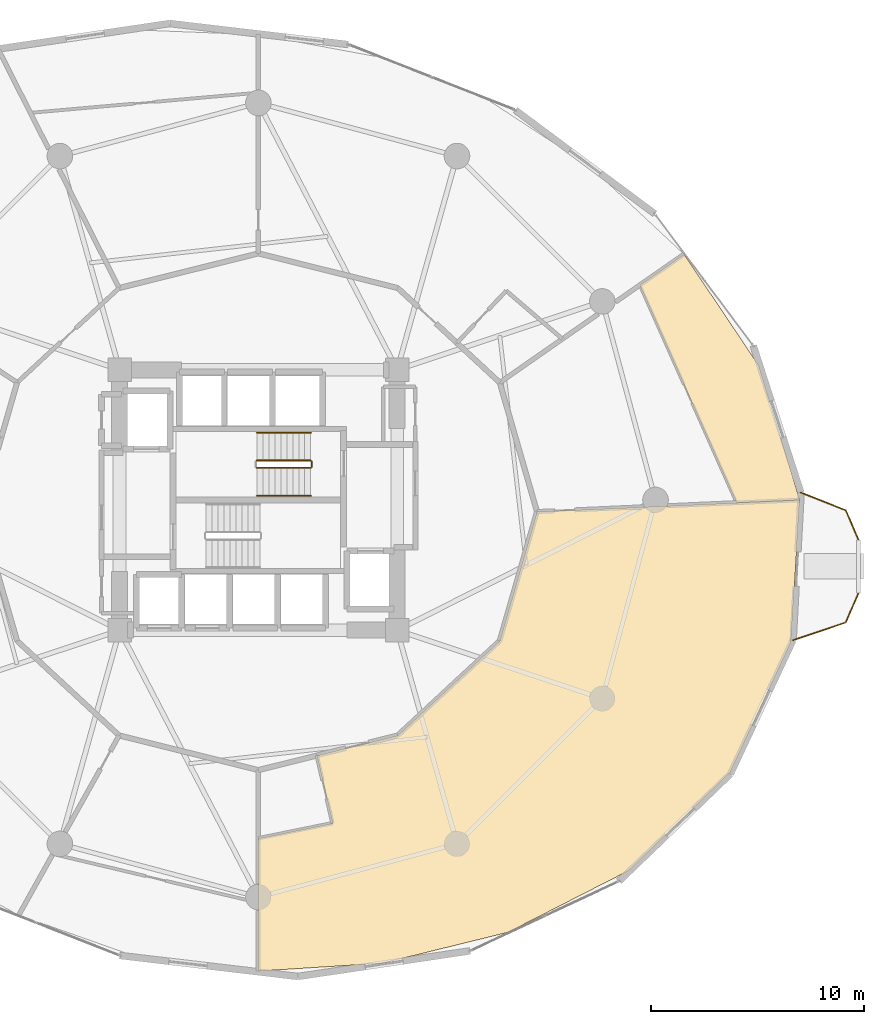
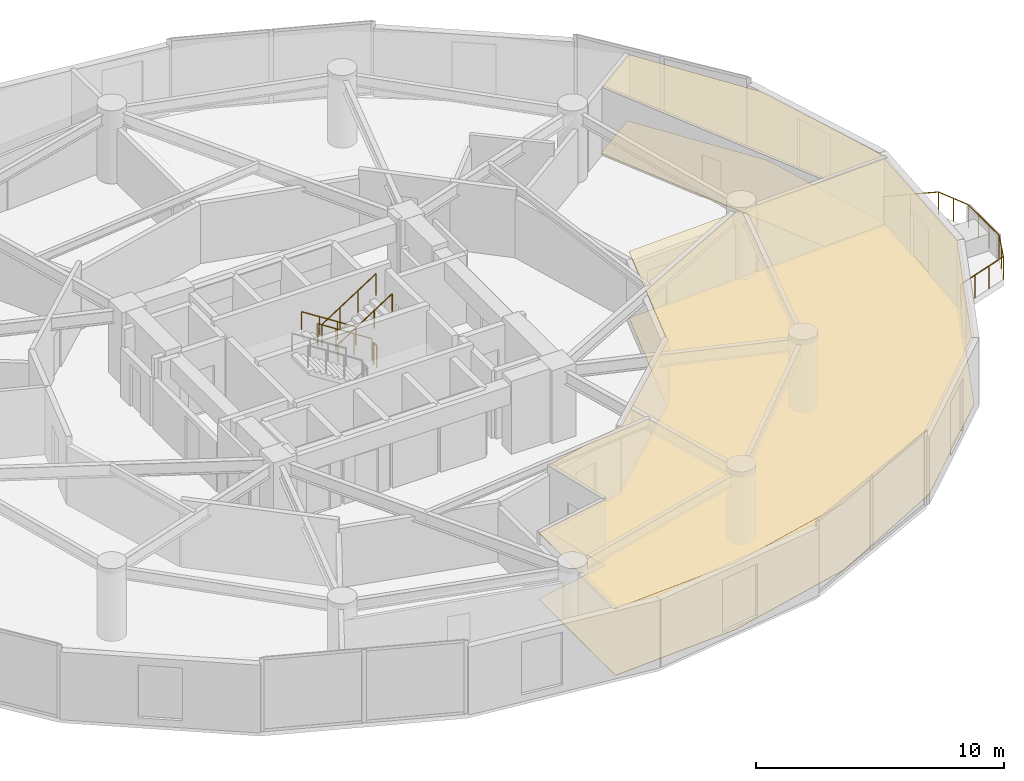
# One storey, part 24 of 25: 6 railings, 4 coverings.
"""IFC4 building model written with IfcOpenShell, lengths in metres."""

from ifc_helpers import new_model, si_unit, direction, frame, origin, origin_2d, place, context, subcontext, project, spatial, polyline, circle, outline, extrude, material, layer, layer_set, type_object, element, save


model = new_model("IFC4")

# Units and contexts
model_context = context("Model", 3, precision=1e-05, world=origin(), true_north=direction((0.0, 1.0)))
body_context = subcontext(model_context, "Body", "Model", "MODEL_VIEW")
ifc_project = project(units=[si_unit("LENGTHUNIT", "METRE"), si_unit("AREAUNIT", "SQUARE_METRE"), si_unit("VOLUMEUNIT", "CUBIC_METRE"), si_unit("PLANEANGLEUNIT", "RADIAN"), si_unit("MASSUNIT", "GRAM", prefix="KILO")], contexts=[model_context])

# Site, building, storey
site_placement = place(None, origin())
site = spatial("IfcSite", under=ifc_project, at=site_placement, CompositionType="ELEMENT")
building_placement = place(site_placement, origin())
building = spatial("IfcBuilding", under=site, at=building_placement, Name="Solvirekh Grand Hotel", CompositionType="ELEMENT")
storey_placement = place(building_placement, frame((0.0, 0.0, 57.199951171875)))
storey = spatial("IfcBuildingStorey", under=building, at=storey_placement, Name="L13", CompositionType="ELEMENT", Elevation=57.199951171875)

# Coverings
ifc_material_1 = material(Name="Acoustic Mineral Ceiling Tile")
ifc_layer_1 = layer(ifc_material_1, 0.02490234375)
ifc_layer_set_1 = layer_set([ifc_layer_1], Name="Acoustic Mineral Ceiling Tile")
covering_type_1 = type_object("IfcCoveringType", Name="Cov_Ceiling_Acoustic", PredefinedType="CEILING", material=ifc_layer_set_1)
covering_1_placement = place(storey_placement, frame((0.0, 0.0, 3.2900390625)))
element("IfcCovering", 1, at=covering_1_placement, inside=storey, type_object=covering_type_1, Name="L13 Presidential Suite 1502 Living Room acoustic ceiling", PredefinedType="CEILING", context=body_context, shape_type="SweptSolid", body=[
    extrude(outline(polyline([(3.47802734375, -15.14306640625), (0.0, -15.85107421875), (0.0, -22.06591796875), (5.81298828125, -21.695068359375), (11.68994140625, -20.2490234375), (17.35498046875, -17.35498046875), (22.097900390625, -12.758056640625), (24.94189453125, -6.68310546875), (25.35205078125, 0.0), (13.050048828125, -0.550048828125), (11.302001953125, -6.60009765625), (6.52490234375, -11.029052734375), (2.739990234375, -11.968994140625), (3.47802734375, -15.14306640625)])), origin(), (0.0, 0.0, 1.0), 0.01806640625),
])
covering_2_placement = place(storey_placement, frame((0.0, 0.0, 3.2900390625)))
element("IfcCovering", 2, at=covering_2_placement, inside=storey, type_object=covering_type_1, Name="L13 Presidential Suite 1502 Master Bedroom acoustic ceiling", PredefinedType="CEILING", context=body_context, shape_type="SweptSolid", body=[
    extrude(outline(polyline([(25.35205078125, 0.0), (23.447021484375, 6.282958984375), (19.93701171875, 11.510009765625), (17.864990234375, 10.068115234375), (22.39990234375, -0.132080078125), (25.35205078125, 0.0)])), origin(), (0.0, 0.0, 1.0), 0.01806640625),
])
ifc_material_2 = material(Name="Porcelain Stoneware Flooring", Category="masonry")
ifc_layer_2 = layer(ifc_material_2, 0.030029296875)
ifc_layer_set_2 = layer_set([ifc_layer_2], Name="Porcelain Stoneware Flooring")
covering_type_2 = type_object("IfcCoveringType", Name="Cov_Floor_Stone", PredefinedType="FLOORING", material=ifc_layer_set_2)
covering_3_placement = place(storey_placement, origin())
element("IfcCovering", 3, at=covering_3_placement, inside=storey, type_object=covering_type_2, Name="L13 Presidential Suite 1502 Living Room polished granite flooring", PredefinedType="FLOORING", context=body_context, shape_type="SweptSolid", body=[
    extrude(outline(polyline([(3.47802734375, -15.14306640625), (0.0, -15.85107421875), (0.0, -22.06591796875), (5.81298828125, -21.695068359375), (11.68994140625, -20.2490234375), (17.35498046875, -17.35498046875), (22.097900390625, -12.758056640625), (24.94189453125, -6.68310546875), (25.35205078125, 0.0), (13.050048828125, -0.550048828125), (11.302001953125, -6.60009765625), (6.52490234375, -11.029052734375), (2.739990234375, -11.968994140625), (3.47802734375, -15.14306640625)])), origin(), (0.0, 0.0, 1.0), 0.02001953125),
])
covering_4_placement = place(storey_placement, origin())
element("IfcCovering", 4, at=covering_4_placement, inside=storey, type_object=covering_type_2, Name="L13 Presidential Suite 1502 Master Bedroom polished granite flooring", PredefinedType="FLOORING", context=body_context, shape_type="SweptSolid", body=[
    extrude(outline(polyline([(25.35205078125, 0.0), (23.447021484375, 6.282958984375), (19.93701171875, 11.510009765625), (17.864990234375, 10.068115234375), (22.39990234375, -0.132080078125), (25.35205078125, 0.0)])), origin(), (0.0, 0.0, 1.0), 0.02001953125),
])

# Railings
ifc_material_3 = material(Name="Anodized Bronze Aluminium 6063-T6", Category="aluminium")
railing_type_1 = type_object("IfcRailingType", Name="Guard_ExtGlass_1150", PredefinedType="BALUSTRADE", material=ifc_material_3)
railing_1_placement = place(storey_placement, frame((25.0390625, -6.568115234375, 0.0)))
element("IfcRailing", 5, at=railing_1_placement, inside=storey, type_object=railing_type_1, Name="L13 horn perimeter glass balustrade", PredefinedType="BALUSTRADE", context=body_context, shape_type="SweptSolid", body=[
    extrude(circle(Radius=0.02392578125, at=origin_2d()), frame((0.0, 0.0, 1.1259765625), z_axis=(0.947978752614, 0.318333605816, 0.0), x_axis=(-0.318333605816, 0.947978752614, 0.0)), (0.0, 0.0, 1.0), 2.607666015625),
    extrude(circle(Radius=0.02392578125, at=origin_2d()), frame((2.471923828125, 0.830078125, 1.1259765625), z_axis=(0.398039122437, 0.917368441255, 0.0), x_axis=(-0.917368441255, 0.398039122437, 0.0)), (0.0, 0.0, 1.0), 1.507568359375),
    extrude(circle(Radius=0.02392578125, at=origin_2d()), frame((3.072021484375, 2.213134765625, 1.1259765625), z_axis=(0.0, 1.0, 0.0), x_axis=(-1.0, 0.0, 0.0)), (0.0, 0.0, 1.0), 2.489013671875),
    extrude(circle(Radius=0.02392578125, at=origin_2d()), frame((3.072021484375, 4.7021484375, 1.1259765625), z_axis=(-0.398039122437, 0.917368441255, 0.0), x_axis=(-0.917368441255, -0.398039122437, 0.0)), (0.0, 0.0, 1.0), 1.507568359375),
    extrude(circle(Radius=0.02392578125, at=origin_2d()), frame((2.471923828125, 6.085205078125, 1.1259765625), z_axis=(-0.930026900532, 0.367491447909, 0.0), x_axis=(-0.367491447909, -0.930026900532, 0.0)), (0.0, 0.0, 1.0), 2.258056640625),
    extrude(circle(Radius=0.02099609375, at=origin_2d()), origin(), (0.0, 0.0, 1.0), 1.101806640625),
    extrude(circle(Radius=0.02099609375, at=origin_2d()), frame((0.823974609375, 0.276611328125, 0.0)), (0.0, 0.0, 1.0), 1.101806640625),
    extrude(circle(Radius=0.02099609375, at=origin_2d()), frame((1.64794921875, 0.553466796875, 0.0)), (0.0, 0.0, 1.0), 1.101806640625),
    extrude(circle(Radius=0.02099609375, at=origin_2d()), frame((2.471923828125, 0.830078125, 0.0)), (0.0, 0.0, 1.0), 1.101806640625),
    extrude(circle(Radius=0.02099609375, at=origin_2d()), frame((2.77197265625, 1.521484375, 0.0)), (0.0, 0.0, 1.0), 1.101806640625),
    extrude(circle(Radius=0.02099609375, at=origin_2d()), frame((3.072021484375, 2.213134765625, 0.0)), (0.0, 0.0, 1.0), 1.101806640625),
    extrude(circle(Radius=0.02099609375, at=origin_2d()), frame((3.072021484375, 3.042724609375, 0.0)), (0.0, 0.0, 1.0), 1.101806640625),
    extrude(circle(Radius=0.02099609375, at=origin_2d()), frame((3.072021484375, 3.87255859375, 0.0)), (0.0, 0.0, 1.0), 1.101806640625),
    extrude(circle(Radius=0.02099609375, at=origin_2d()), frame((3.072021484375, 4.7021484375, 0.0)), (0.0, 0.0, 1.0), 1.101806640625),
    extrude(circle(Radius=0.02099609375, at=origin_2d()), frame((2.77197265625, 5.3935546875, 0.0)), (0.0, 0.0, 1.0), 1.101806640625),
    extrude(circle(Radius=0.02099609375, at=origin_2d()), frame((2.471923828125, 6.085205078125, 0.0)), (0.0, 0.0, 1.0), 1.101806640625),
    extrude(circle(Radius=0.02099609375, at=origin_2d()), frame((1.421875, 6.5, 0.0)), (0.0, 0.0, 1.0), 1.101806640625),
    extrude(circle(Radius=0.02099609375, at=origin_2d()), frame((0.371826171875, 6.9150390625, 0.0)), (0.0, 0.0, 1.0), 1.101806640625),
])
ifc_material_4 = material(Name="Steel S355", Category="steel")
railing_type_2 = type_object("IfcRailingType", Name="Guard_Stair_1100", PredefinedType="GUARDRAIL", material=ifc_material_4)
railing_2_placement = place(storey_placement, frame((2.449951171875, 1.85009765625, 0.179931640625)))
element("IfcRailing", 6, at=railing_2_placement, inside=storey, type_object=railing_type_2, Name="L13 ST-2 stair guard 1", PredefinedType="GUARDRAIL", context=body_context, shape_type="SweptSolid", body=[
    extrude(circle(Radius=0.02392578125, at=origin_2d()), frame((0.0, 0.0, 1.076171875), z_axis=(-0.841162588446, 0.0, 0.540782303519), x_axis=(0.0, -1.0, 0.0)), (0.0, 0.0, 1.0), 2.995849609375),
    extrude(circle(Radius=0.02099609375, at=origin_2d()), origin(), (0.0, 0.0, 1.0), 1.052001953125),
    extrude(circle(Radius=0.02099609375, at=origin_2d()), frame((-0.840087890625, 0.0, 0.5400390625)), (0.0, 0.0, 1.0), 1.052001953125),
    extrude(circle(Radius=0.02099609375, at=origin_2d()), frame((-1.679931640625, 0.0, 1.080078125)), (0.0, 0.0, 1.0), 1.052001953125),
    extrude(circle(Radius=0.02099609375, at=origin_2d()), frame((-2.52001953125, 0.0, 1.6201171875)), (0.0, 0.0, 1.0), 1.052001953125),
])
railing_3_placement = place(storey_placement, frame((-0.070068359375, 1.5, 1.97998046875)))
element("IfcRailing", 7, at=railing_3_placement, inside=storey, type_object=railing_type_2, Name="L13 ST-2 stair guard 3", PredefinedType="GUARDRAIL", context=body_context, shape_type="SweptSolid", body=[
    extrude(circle(Radius=0.02392578125, at=origin_2d()), frame((0.0, 0.0, 1.076171875), z_axis=(0.841162588446, 0.0, 0.540782303519), x_axis=(0.0, 1.0, 0.0)), (0.0, 0.0, 1.0), 2.995849609375),
    extrude(circle(Radius=0.02099609375, at=origin_2d()), origin(), (0.0, 0.0, 1.0), 1.052001953125),
    extrude(circle(Radius=0.02099609375, at=origin_2d()), frame((0.840087890625, 0.0, 0.5400390625)), (0.0, 0.0, 1.0), 1.052001953125),
    extrude(circle(Radius=0.02099609375, at=origin_2d()), frame((1.679931640625, 0.0, 1.080078125)), (0.0, 0.0, 1.0), 1.052001953125),
    extrude(circle(Radius=0.02099609375, at=origin_2d()), frame((2.52001953125, 0.0, 1.6201171875)), (0.0, 0.0, 1.0), 1.052001953125),
])
railing_4_placement = place(storey_placement, frame((2.5, 1.800048828125, 0.0)))
element("IfcRailing", 8, at=railing_4_placement, inside=storey, type_object=railing_type_2, Name="L13 ST-2 stair guard 4", PredefinedType="GUARDRAIL", context=body_context, shape_type="SweptSolid", body=[
    extrude(circle(Radius=0.02392578125, at=origin_2d()), frame((0.0, 0.0, 1.076171875), z_axis=(0.0, -1.0, 0.0), x_axis=(1.0, 0.0, 0.0)), (0.0, 0.0, 1.0), 0.25),
    extrude(circle(Radius=0.02099609375, at=origin_2d()), origin(), (0.0, 0.0, 1.0), 1.052001953125),
    extrude(circle(Radius=0.02099609375, at=origin_2d()), frame((0.0, -0.25, 0.0)), (0.0, 0.0, 1.0), 1.052001953125),
])
railing_type_3 = type_object("IfcRailingType", Name="Handrail_Wall_900", PredefinedType="HANDRAIL", material=ifc_material_3)
railing_5_placement = place(storey_placement, frame((2.449951171875, 3.14990234375, 0.179931640625)))
element("IfcRailing", 9, at=railing_5_placement, inside=storey, type_object=railing_type_3, Name="L13 ST-2 stair handrail 1", PredefinedType="HANDRAIL", context=body_context, shape_type="SweptSolid", body=[
    extrude(circle(Radius=0.02392578125, at=origin_2d()), frame((0.0, 0.0, 0.8759765625), z_axis=(-0.841162588446, 0.0, 0.540782303519), x_axis=(0.0, -1.0, 0.0)), (0.0, 0.0, 1.0), 2.995849609375),
    extrude(circle(Radius=0.02099609375, at=origin_2d()), origin(), (0.0, 0.0, 1.0), 0.851806640625),
    extrude(circle(Radius=0.02099609375, at=origin_2d()), frame((-0.840087890625, 0.0, 0.5400390625)), (0.0, 0.0, 1.0), 0.851806640625),
    extrude(circle(Radius=0.02099609375, at=origin_2d()), frame((-1.679931640625, 0.0, 1.080078125)), (0.0, 0.0, 1.0), 0.851806640625),
    extrude(circle(Radius=0.02099609375, at=origin_2d()), frame((-2.52001953125, 0.0, 1.6201171875)), (0.0, 0.0, 1.0), 0.851806640625),
])
railing_6_placement = place(storey_placement, frame((-0.070068359375, 0.199951171875, 1.97998046875)))
element("IfcRailing", 10, at=railing_6_placement, inside=storey, type_object=railing_type_3, Name="L13 ST-2 stair handrail 2", PredefinedType="HANDRAIL", context=body_context, shape_type="SweptSolid", body=[
    extrude(circle(Radius=0.02392578125, at=origin_2d()), frame((0.0, 0.0, 0.8759765625), z_axis=(0.841162588446, 0.0, 0.540782303519), x_axis=(0.0, 1.0, 0.0)), (0.0, 0.0, 1.0), 2.995849609375),
    extrude(circle(Radius=0.02099609375, at=origin_2d()), origin(), (0.0, 0.0, 1.0), 0.851806640625),
    extrude(circle(Radius=0.02099609375, at=origin_2d()), frame((0.840087890625, 0.0, 0.5400390625)), (0.0, 0.0, 1.0), 0.851806640625),
    extrude(circle(Radius=0.02099609375, at=origin_2d()), frame((1.679931640625, 0.0, 1.080078125)), (0.0, 0.0, 1.0), 0.851806640625),
    extrude(circle(Radius=0.02099609375, at=origin_2d()), frame((2.52001953125, 0.0, 1.6201171875)), (0.0, 0.0, 1.0), 0.851806640625),
])

save(model, "model.ifc")
